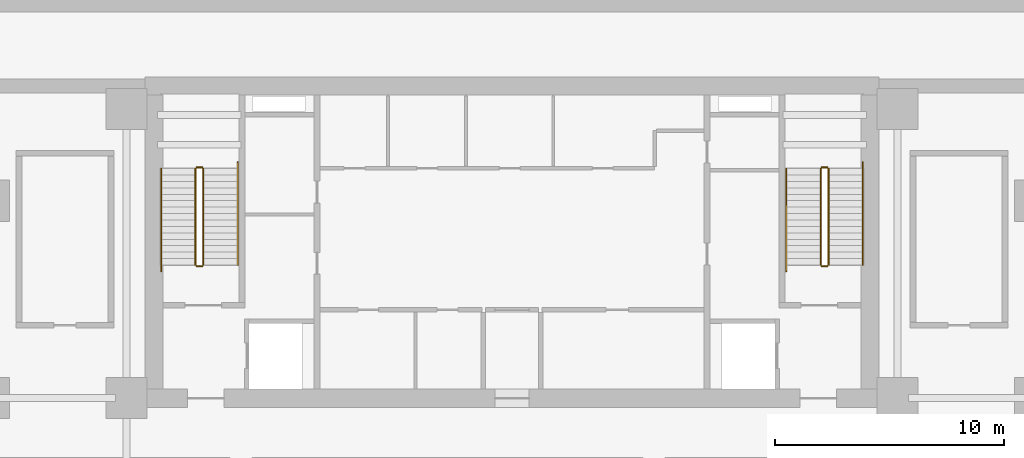
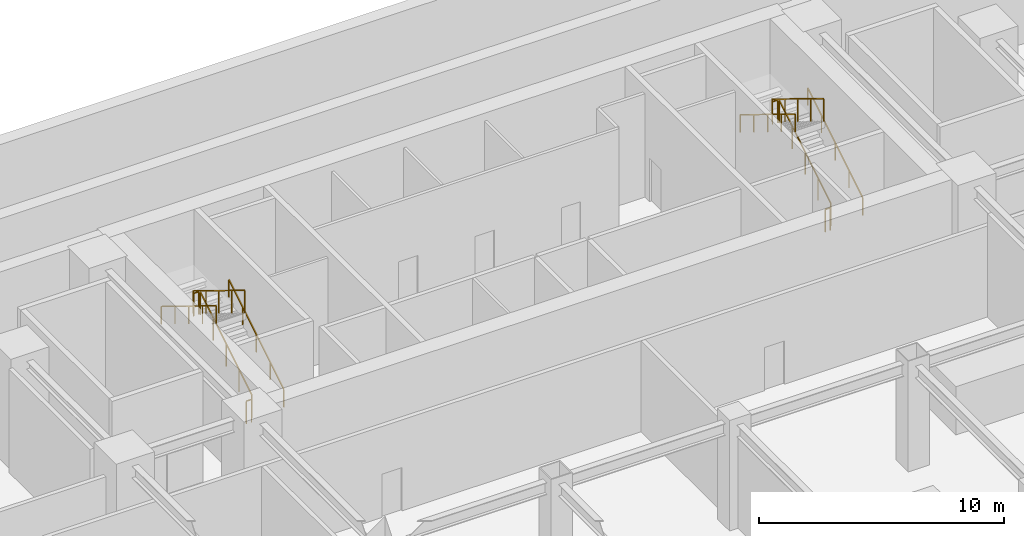
# One storey, part 6 of 8: 12 railings.
"""IFC4 building model written with IfcOpenShell, lengths in metres."""

from ifc_helpers import new_model, si_unit, direction, frame, origin, origin_2d, place, context, subcontext, project, spatial, rectangle, extrude, material, type_object, element, save


model = new_model("IFC4")

# Units and contexts
model_context = context("Model", 3, precision=1e-05, world=origin(), true_north=direction((0.0, 1.0)))
body_context = subcontext(model_context, "Body", "Model", "MODEL_VIEW")
ifc_project = project(units=[si_unit("LENGTHUNIT", "METRE"), si_unit("AREAUNIT", "SQUARE_METRE"), si_unit("VOLUMEUNIT", "CUBIC_METRE"), si_unit("PLANEANGLEUNIT", "RADIAN"), si_unit("MASSUNIT", "GRAM", prefix="KILO")], contexts=[model_context])

# Site, building, storey
site_placement = place(None, origin())
site = spatial("IfcSite", under=ifc_project, at=site_placement, CompositionType="ELEMENT")
building_placement = place(site_placement, origin())
building = spatial("IfcBuilding", under=site, at=building_placement, Name="Sumidabori Civic Tower", CompositionType="ELEMENT")
storey_placement = place(building_placement, frame((0.0, 0.0, -5.5)))
storey = spatial("IfcBuildingStorey", under=building, at=storey_placement, Name="B1", CompositionType="ELEMENT", Elevation=-5.5)

# Railings
ifc_material_1 = material(Name="Stainless Steel Hairline Finish", Category="steel")
railing_type_1 = type_object("IfcRailingType", Name="RL-HANDRAIL", PredefinedType="HANDRAIL", material=ifc_material_1)
railing_1_placement = place(storey_placement, frame((-11.949951171875, 16.0, 0.171875)))
element("IfcRailing", 1, at=railing_1_placement, inside=storey, type_object=railing_type_1, Name="B1 ST-1 stair handrail 1", PredefinedType="HANDRAIL", context=body_context, shape_type="SweptSolid", body=[
    extrude(rectangle(XDim=0.048095703125, YDim=0.048095703125, at=origin_2d()), frame((0.0, 0.0, 0.8759765625), z_axis=(0.0, 0.851933970721, 0.523649223747), x_axis=(-1.0, 0.0, 0.0)), (0.0, 0.0, 1.0), 5.258544921875),
    extrude(rectangle(XDim=0.0419921875, YDim=0.0419921875, at=origin_2d()), origin(), (0.0, 0.0, 1.0), 0.851806640625),
    extrude(rectangle(XDim=0.0419921875, YDim=0.0419921875, at=origin_2d()), frame((0.0, 1.1201171875, 0.6884765625)), (0.0, 0.0, 1.0), 0.851806640625),
    extrude(rectangle(XDim=0.0419921875, YDim=0.0419921875, at=origin_2d()), frame((0.0, 2.239990234375, 1.376953125)), (0.0, 0.0, 1.0), 0.851806640625),
    extrude(rectangle(XDim=0.0419921875, YDim=0.0419921875, at=origin_2d()), frame((0.0, 3.35986328125, 2.065185546875)), (0.0, 0.0, 1.0), 0.851806640625),
    extrude(rectangle(XDim=0.0419921875, YDim=0.0419921875, at=origin_2d()), frame((0.0, 4.47998046875, 2.753662109375)), (0.0, 0.0, 1.0), 0.851806640625),
])
railing_2_placement = place(storey_placement, frame((-15.2900390625, 20.199951171875, 2.921875)))
element("IfcRailing", 2, at=railing_2_placement, inside=storey, type_object=railing_type_1, Name="B1 ST-1 stair handrail 2", PredefinedType="HANDRAIL", context=body_context, shape_type="SweptSolid", body=[
    extrude(rectangle(XDim=0.048095703125, YDim=0.048095703125, at=origin_2d()), frame((0.0, 0.0, 0.8759765625), z_axis=(0.0, -0.851933970721, 0.523649223747), x_axis=(1.0, 0.0, 0.0)), (0.0, 0.0, 1.0), 5.258544921875),
    extrude(rectangle(XDim=0.0419921875, YDim=0.0419921875, at=origin_2d()), origin(), (0.0, 0.0, 1.0), 0.851806640625),
    extrude(rectangle(XDim=0.0419921875, YDim=0.0419921875, at=origin_2d()), frame((0.0, -1.1201171875, 0.6884765625)), (0.0, 0.0, 1.0), 0.851806640625),
    extrude(rectangle(XDim=0.0419921875, YDim=0.0419921875, at=origin_2d()), frame((0.0, -2.239990234375, 1.376953125)), (0.0, 0.0, 1.0), 0.851806640625),
    extrude(rectangle(XDim=0.0419921875, YDim=0.0419921875, at=origin_2d()), frame((0.0, -3.35986328125, 2.065185546875)), (0.0, 0.0, 1.0), 0.851806640625),
    extrude(rectangle(XDim=0.0419921875, YDim=0.0419921875, at=origin_2d()), frame((0.0, -4.47998046875, 2.753662109375)), (0.0, 0.0, 1.0), 0.851806640625),
])
railing_3_placement = place(storey_placement, frame((15.2900390625, 16.0, 0.171875)))
element("IfcRailing", 3, at=railing_3_placement, inside=storey, type_object=railing_type_1, Name="B1 ST-2 stair handrail 1", PredefinedType="HANDRAIL", context=body_context, shape_type="SweptSolid", body=[
    extrude(rectangle(XDim=0.048095703125, YDim=0.048095703125, at=origin_2d()), frame((0.0, 0.0, 0.8759765625), z_axis=(0.0, 0.851933970721, 0.523649223747), x_axis=(-1.0, 0.0, 0.0)), (0.0, 0.0, 1.0), 5.258544921875),
    extrude(rectangle(XDim=0.0419921875, YDim=0.0419921875, at=origin_2d()), origin(), (0.0, 0.0, 1.0), 0.851806640625),
    extrude(rectangle(XDim=0.0419921875, YDim=0.0419921875, at=origin_2d()), frame((0.0, 1.1201171875, 0.6884765625)), (0.0, 0.0, 1.0), 0.851806640625),
    extrude(rectangle(XDim=0.0419921875, YDim=0.0419921875, at=origin_2d()), frame((0.0, 2.239990234375, 1.376953125)), (0.0, 0.0, 1.0), 0.851806640625),
    extrude(rectangle(XDim=0.0419921875, YDim=0.0419921875, at=origin_2d()), frame((0.0, 3.35986328125, 2.065185546875)), (0.0, 0.0, 1.0), 0.851806640625),
    extrude(rectangle(XDim=0.0419921875, YDim=0.0419921875, at=origin_2d()), frame((0.0, 4.47998046875, 2.753662109375)), (0.0, 0.0, 1.0), 0.851806640625),
])
railing_4_placement = place(storey_placement, frame((11.949951171875, 20.199951171875, 2.921875)))
element("IfcRailing", 4, at=railing_4_placement, inside=storey, type_object=railing_type_1, Name="B1 ST-2 stair handrail 2", PredefinedType="HANDRAIL", context=body_context, shape_type="SweptSolid", body=[
    extrude(rectangle(XDim=0.048095703125, YDim=0.048095703125, at=origin_2d()), frame((0.0, 0.0, 0.8759765625), z_axis=(0.0, -0.851933970721, 0.523649223747), x_axis=(1.0, 0.0, 0.0)), (0.0, 0.0, 1.0), 5.258544921875),
    extrude(rectangle(XDim=0.0419921875, YDim=0.0419921875, at=origin_2d()), origin(), (0.0, 0.0, 1.0), 0.851806640625),
    extrude(rectangle(XDim=0.0419921875, YDim=0.0419921875, at=origin_2d()), frame((0.0, -1.1201171875, 0.6884765625)), (0.0, 0.0, 1.0), 0.851806640625),
    extrude(rectangle(XDim=0.0419921875, YDim=0.0419921875, at=origin_2d()), frame((0.0, -2.239990234375, 1.376953125)), (0.0, 0.0, 1.0), 0.851806640625),
    extrude(rectangle(XDim=0.0419921875, YDim=0.0419921875, at=origin_2d()), frame((0.0, -3.35986328125, 2.065185546875)), (0.0, 0.0, 1.0), 0.851806640625),
    extrude(rectangle(XDim=0.0419921875, YDim=0.0419921875, at=origin_2d()), frame((0.0, -4.47998046875, 2.753662109375)), (0.0, 0.0, 1.0), 0.851806640625),
])
ifc_material_2 = material(Name="Steel SN490", Category="steel")
railing_type_2 = type_object("IfcRailingType", Name="RL-STAIR-GUARD", PredefinedType="GUARDRAIL", material=ifc_material_2)
railing_5_placement = place(storey_placement, frame((-13.449951171875, 16.0, 0.171875)))
element("IfcRailing", 5, at=railing_5_placement, inside=storey, type_object=railing_type_2, Name="B1 ST-1 stair guard 1", PredefinedType="GUARDRAIL", context=body_context, shape_type="SweptSolid", body=[
    extrude(rectangle(XDim=0.048095703125, YDim=0.048095703125, at=origin_2d()), frame((0.0, 0.0, 1.1259765625), z_axis=(0.0, 0.852242915053, 0.523146264196), x_axis=(-1.0, 0.0, 0.0)), (0.0, 0.0, 1.0), 4.92822265625),
    extrude(rectangle(XDim=0.0419921875, YDim=0.0419921875, at=origin_2d()), origin(), (0.0, 0.0, 1.0), 1.101806640625),
    extrude(rectangle(XDim=0.0419921875, YDim=0.0419921875, at=origin_2d()), frame((0.0, 1.050048828125, 0.64453125)), (0.0, 0.0, 1.0), 1.101806640625),
    extrude(rectangle(XDim=0.0419921875, YDim=0.0419921875, at=origin_2d()), frame((0.0, 2.10009765625, 1.2890625)), (0.0, 0.0, 1.0), 1.101806640625),
    extrude(rectangle(XDim=0.0419921875, YDim=0.0419921875, at=origin_2d()), frame((0.0, 3.14990234375, 1.93359375)), (0.0, 0.0, 1.0), 1.101806640625),
    extrude(rectangle(XDim=0.0419921875, YDim=0.0419921875, at=origin_2d()), frame((0.0, 4.199951171875, 2.578125)), (0.0, 0.0, 1.0), 1.101806640625),
])
railing_6_placement = place(storey_placement, frame((-13.5, 20.25, 2.75)))
element("IfcRailing", 6, at=railing_6_placement, inside=storey, type_object=railing_type_2, Name="B1 ST-1 stair guard 2", PredefinedType="GUARDRAIL", context=body_context, shape_type="SweptSolid", body=[
    extrude(rectangle(XDim=0.048095703125, YDim=0.048095703125, at=origin_2d()), frame((0.0, 0.0, 1.1259765625), z_axis=(-1.0, 0.0, 0.0), x_axis=(0.0, -1.0, 0.0)), (0.0, 0.0, 1.0), 0.239990234375),
    extrude(rectangle(XDim=0.0419921875, YDim=0.0419921875, at=origin_2d()), origin(), (0.0, 0.0, 1.0), 1.101806640625),
    extrude(rectangle(XDim=0.0419921875, YDim=0.0419921875, at=origin_2d()), frame((-0.239990234375, 0.0, 0.0)), (0.0, 0.0, 1.0), 1.101806640625),
])
railing_7_placement = place(storey_placement, frame((-13.7900390625, 20.199951171875, 2.921875)))
element("IfcRailing", 7, at=railing_7_placement, inside=storey, type_object=railing_type_2, Name="B1 ST-1 stair guard 3", PredefinedType="GUARDRAIL", context=body_context, shape_type="SweptSolid", body=[
    extrude(rectangle(XDim=0.048095703125, YDim=0.048095703125, at=origin_2d()), frame((0.0, 0.0, 1.1259765625), z_axis=(0.0, -0.852242915053, 0.523146264196), x_axis=(1.0, 0.0, 0.0)), (0.0, 0.0, 1.0), 4.92822265625),
    extrude(rectangle(XDim=0.0419921875, YDim=0.0419921875, at=origin_2d()), origin(), (0.0, 0.0, 1.0), 1.101806640625),
    extrude(rectangle(XDim=0.0419921875, YDim=0.0419921875, at=origin_2d()), frame((0.0, -1.050048828125, 0.64453125)), (0.0, 0.0, 1.0), 1.101806640625),
    extrude(rectangle(XDim=0.0419921875, YDim=0.0419921875, at=origin_2d()), frame((0.0, -2.10009765625, 1.2890625)), (0.0, 0.0, 1.0), 1.101806640625),
    extrude(rectangle(XDim=0.0419921875, YDim=0.0419921875, at=origin_2d()), frame((0.0, -3.14990234375, 1.93359375)), (0.0, 0.0, 1.0), 1.101806640625),
    extrude(rectangle(XDim=0.0419921875, YDim=0.0419921875, at=origin_2d()), frame((0.0, -4.199951171875, 2.578125)), (0.0, 0.0, 1.0), 1.101806640625),
])
railing_8_placement = place(storey_placement, frame((-13.5, 15.949951171875, 0.0)))
element("IfcRailing", 8, at=railing_8_placement, inside=storey, type_object=railing_type_2, Name="B1 ST-1 stair guard 4", PredefinedType="GUARDRAIL", context=body_context, shape_type="SweptSolid", body=[
    extrude(rectangle(XDim=0.048095703125, YDim=0.048095703125, at=origin_2d()), frame((0.0, 0.0, 1.1259765625), z_axis=(-1.0, 0.0, 0.0), x_axis=(0.0, -1.0, 0.0)), (0.0, 0.0, 1.0), 0.239990234375),
    extrude(rectangle(XDim=0.0419921875, YDim=0.0419921875, at=origin_2d()), origin(), (0.0, 0.0, 1.0), 1.101806640625),
    extrude(rectangle(XDim=0.0419921875, YDim=0.0419921875, at=origin_2d()), frame((-0.239990234375, 0.0, 0.0)), (0.0, 0.0, 1.0), 1.101806640625),
])
railing_9_placement = place(storey_placement, frame((13.7900390625, 16.0, 0.171875)))
element("IfcRailing", 9, at=railing_9_placement, inside=storey, type_object=railing_type_2, Name="B1 ST-2 stair guard 1", PredefinedType="GUARDRAIL", context=body_context, shape_type="SweptSolid", body=[
    extrude(rectangle(XDim=0.048095703125, YDim=0.048095703125, at=origin_2d()), frame((0.0, 0.0, 1.1259765625), z_axis=(0.0, 0.852242915053, 0.523146264196), x_axis=(-1.0, 0.0, 0.0)), (0.0, 0.0, 1.0), 4.92822265625),
    extrude(rectangle(XDim=0.0419921875, YDim=0.0419921875, at=origin_2d()), origin(), (0.0, 0.0, 1.0), 1.101806640625),
    extrude(rectangle(XDim=0.0419921875, YDim=0.0419921875, at=origin_2d()), frame((0.0, 1.050048828125, 0.64453125)), (0.0, 0.0, 1.0), 1.101806640625),
    extrude(rectangle(XDim=0.0419921875, YDim=0.0419921875, at=origin_2d()), frame((0.0, 2.10009765625, 1.2890625)), (0.0, 0.0, 1.0), 1.101806640625),
    extrude(rectangle(XDim=0.0419921875, YDim=0.0419921875, at=origin_2d()), frame((0.0, 3.14990234375, 1.93359375)), (0.0, 0.0, 1.0), 1.101806640625),
    extrude(rectangle(XDim=0.0419921875, YDim=0.0419921875, at=origin_2d()), frame((0.0, 4.199951171875, 2.578125)), (0.0, 0.0, 1.0), 1.101806640625),
])
railing_10_placement = place(storey_placement, frame((13.739990234375, 20.25, 2.75)))
element("IfcRailing", 10, at=railing_10_placement, inside=storey, type_object=railing_type_2, Name="B1 ST-2 stair guard 2", PredefinedType="GUARDRAIL", context=body_context, shape_type="SweptSolid", body=[
    extrude(rectangle(XDim=0.048095703125, YDim=0.048095703125, at=origin_2d()), frame((0.0, 0.0, 1.1259765625), z_axis=(-1.0, 0.0, 0.0), x_axis=(0.0, -1.0, 0.0)), (0.0, 0.0, 1.0), 0.239990234375),
    extrude(rectangle(XDim=0.0419921875, YDim=0.0419921875, at=origin_2d()), origin(), (0.0, 0.0, 1.0), 1.101806640625),
    extrude(rectangle(XDim=0.0419921875, YDim=0.0419921875, at=origin_2d()), frame((-0.239990234375, 0.0, 0.0)), (0.0, 0.0, 1.0), 1.101806640625),
])
railing_11_placement = place(storey_placement, frame((13.449951171875, 20.199951171875, 2.921875)))
element("IfcRailing", 11, at=railing_11_placement, inside=storey, type_object=railing_type_2, Name="B1 ST-2 stair guard 3", PredefinedType="GUARDRAIL", context=body_context, shape_type="SweptSolid", body=[
    extrude(rectangle(XDim=0.048095703125, YDim=0.048095703125, at=origin_2d()), frame((0.0, 0.0, 1.1259765625), z_axis=(0.0, -0.852242915053, 0.523146264196), x_axis=(1.0, 0.0, 0.0)), (0.0, 0.0, 1.0), 4.92822265625),
    extrude(rectangle(XDim=0.0419921875, YDim=0.0419921875, at=origin_2d()), origin(), (0.0, 0.0, 1.0), 1.101806640625),
    extrude(rectangle(XDim=0.0419921875, YDim=0.0419921875, at=origin_2d()), frame((0.0, -1.050048828125, 0.64453125)), (0.0, 0.0, 1.0), 1.101806640625),
    extrude(rectangle(XDim=0.0419921875, YDim=0.0419921875, at=origin_2d()), frame((0.0, -2.10009765625, 1.2890625)), (0.0, 0.0, 1.0), 1.101806640625),
    extrude(rectangle(XDim=0.0419921875, YDim=0.0419921875, at=origin_2d()), frame((0.0, -3.14990234375, 1.93359375)), (0.0, 0.0, 1.0), 1.101806640625),
    extrude(rectangle(XDim=0.0419921875, YDim=0.0419921875, at=origin_2d()), frame((0.0, -4.199951171875, 2.578125)), (0.0, 0.0, 1.0), 1.101806640625),
])
railing_12_placement = place(storey_placement, frame((13.739990234375, 15.949951171875, 0.0)))
element("IfcRailing", 12, at=railing_12_placement, inside=storey, type_object=railing_type_2, Name="B1 ST-2 stair guard 4", PredefinedType="GUARDRAIL", context=body_context, shape_type="SweptSolid", body=[
    extrude(rectangle(XDim=0.048095703125, YDim=0.048095703125, at=origin_2d()), frame((0.0, 0.0, 1.1259765625), z_axis=(-1.0, 0.0, 0.0), x_axis=(0.0, -1.0, 0.0)), (0.0, 0.0, 1.0), 0.239990234375),
    extrude(rectangle(XDim=0.0419921875, YDim=0.0419921875, at=origin_2d()), origin(), (0.0, 0.0, 1.0), 1.101806640625),
    extrude(rectangle(XDim=0.0419921875, YDim=0.0419921875, at=origin_2d()), frame((-0.239990234375, 0.0, 0.0)), (0.0, 0.0, 1.0), 1.101806640625),
])

save(model, "model.ifc")
